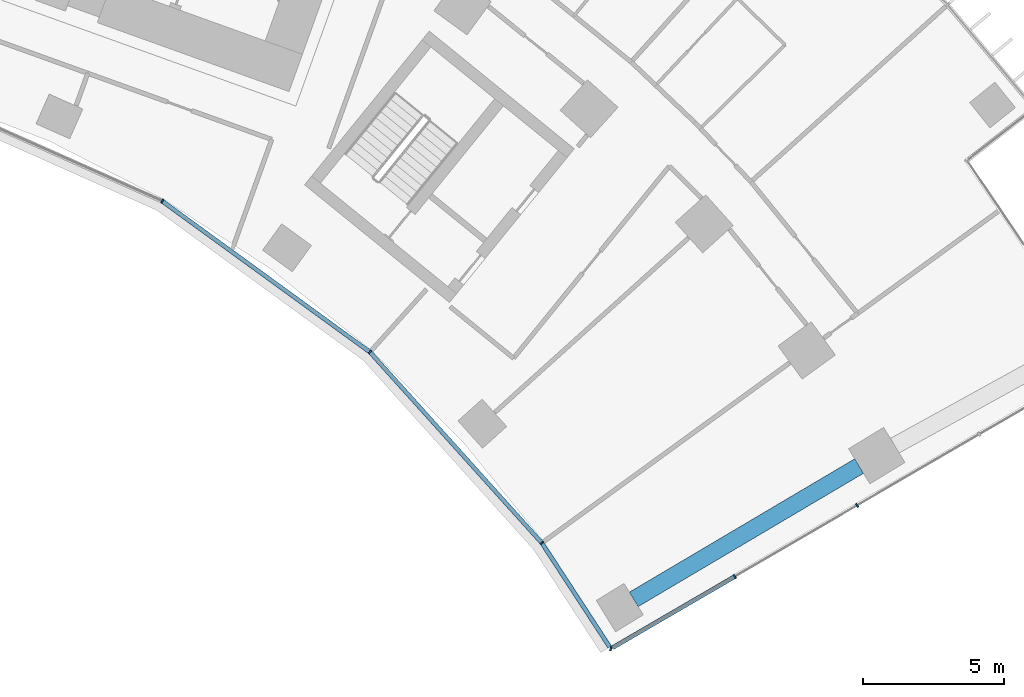
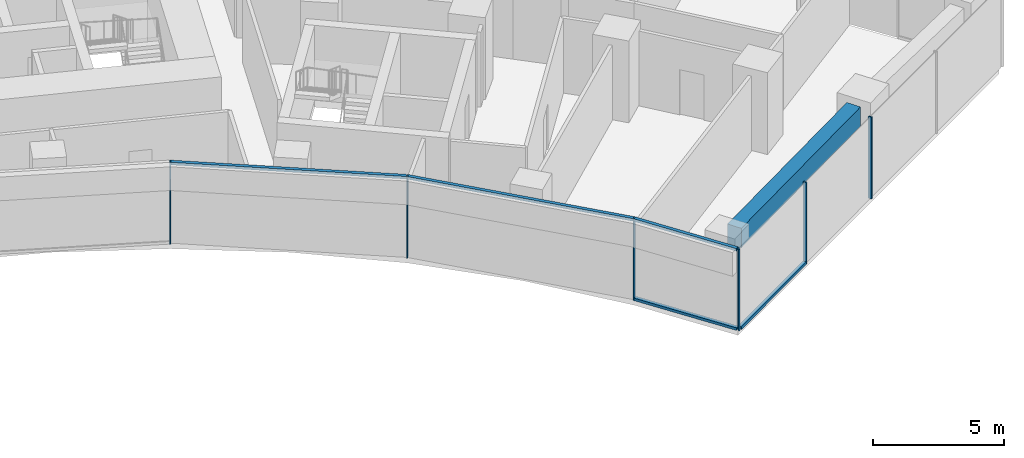
# One storey, part 8 of 22: 11 members, 1 beam, 2 elements without a shape of their own.
"""IFC4 building model written with IfcOpenShell, lengths in metres."""

from ifc_helpers import new_model, si_unit, direction, frame, origin, origin_2d, place, context, subcontext, project, spatial, rectangle, extrude, material, layer, layer_set, material_profile, profile_set, type_object, element, aggregate, save


model = new_model("IFC4")

# Units and contexts
model_context = context("Model", 3, precision=1e-05, world=origin(), true_north=direction((0.0, 1.0)))
body_context = subcontext(model_context, "Body", "Model", "MODEL_VIEW")
ifc_project = project(units=[si_unit("LENGTHUNIT", "METRE"), si_unit("AREAUNIT", "SQUARE_METRE"), si_unit("VOLUMEUNIT", "CUBIC_METRE"), si_unit("PLANEANGLEUNIT", "RADIAN"), si_unit("MASSUNIT", "GRAM", prefix="KILO")], contexts=[model_context])

# Site, building, storey
site_placement = place(None, origin())
site = spatial("IfcSite", under=ifc_project, at=site_placement, CompositionType="ELEMENT")
building_placement = place(site_placement, origin())
building = spatial("IfcBuilding", under=site, at=building_placement, Name="Stone Belt Terrace Tower", CompositionType="ELEMENT")
storey_placement = place(building_placement, frame((0.0, 0.0, 121.199951171875)))
storey = spatial("IfcBuildingStorey", under=building, at=storey_placement, Name="L29", CompositionType="ELEMENT", Elevation=121.199951171875)

# Curtain wall, members
ifc_material_1 = material(Name="Aluminium 6063-T6 anodised frame", Category="aluminium")
ifc_layer_1 = layer(ifc_material_1, 0.14990234375)
ifc_layer_set_1 = layer_set([ifc_layer_1], Name="CW-B unitised concave-face curtain wall")
curtain_wall_type_1 = type_object("IfcCurtainWallType", Name="CW-B unitised concave-face curtain wall", PredefinedType="NOTDEFINED", material=ifc_layer_set_1)
curtain_wall_1_placement = place(storey_placement, origin())
curtain_wall_1 = element("IfcCurtainWall", 1, at=curtain_wall_1_placement, inside=storey, type_object=curtain_wall_type_1, Name="CW-B concave face L29", PredefinedType="NOTDEFINED")
ifc_material_profile_1 = material_profile(ifc_material_1, rectangle(XDim=0.14990234375, YDim=0.050048828125, at=origin_2d()), Name="Aluminium 6063-T6 50x150")
ifc_profile_set_1 = profile_set([ifc_material_profile_1], Name="Aluminium 6063-T6 anodised frame")
member_type_1 = type_object("IfcMemberType", Name="CW-B mullion 50 x 150", PredefinedType="MULLION", material=ifc_profile_set_1)
member_1_placement = place(storey_placement, frame((21.71240234375, 37.606689453125, 0.0), z_axis=(0.0, 0.0, 1.0), x_axis=(0.5, 0.866025403784, 0.0)))
member_1 = element("IfcMember", 2, at=member_1_placement, type_object=member_type_1, Name="CW-B mullion 8", PredefinedType="MULLION", context=body_context, shape_type="SweptSolid", body=[
    extrude(rectangle(XDim=0.14990234375, YDim=0.050048828125, at=origin_2d()), origin(), (0.0, 0.0, 1.0), 3.800048828125),
])
member_2_placement = place(storey_placement, frame((29.056640625, 32.270751953125, 0.0), z_axis=(0.0, 0.0, 1.0), x_axis=(0.669130606359, 0.743144825477, 0.0)))
member_2 = element("IfcMember", 3, at=member_2_placement, type_object=member_type_1, Name="CW-B mullion 9", PredefinedType="MULLION", context=body_context, shape_type="SweptSolid", body=[
    extrude(rectangle(XDim=0.14990234375, YDim=0.050048828125, at=origin_2d()), origin(), (0.0, 0.0, 1.0), 3.800048828125),
])
member_3_placement = place(storey_placement, frame((35.132568359375, 25.522705078125, 0.0), z_axis=(0.0, 0.0, 1.0), x_axis=(0.792811047542, 0.609467507662, 0.0)))
member_3 = element("IfcMember", 4, at=member_3_placement, type_object=member_type_1, Name="CW-B mullion 10", PredefinedType="MULLION", context=body_context, shape_type="SweptSolid", body=[
    extrude(rectangle(XDim=0.14990234375, YDim=0.050048828125, at=origin_2d()), origin(), (0.0, 0.0, 1.0), 3.800048828125),
])
ifc_material_profile_2 = material_profile(ifc_material_1, rectangle(XDim=0.14990234375, YDim=0.1201171875, at=origin_2d()), Name="Aluminium 6063-T6 150x120")
ifc_profile_set_2 = profile_set([ifc_material_profile_2], Name="Aluminium 6063-T6 anodised frame")
member_type_2 = type_object("IfcMemberType", Name="CW-B transom 120 x 150", PredefinedType="USERDEFINED", material=ifc_profile_set_2)
member_4_placement = place(storey_placement, frame((21.73876953125, 37.587646484375, 3.739990234375), z_axis=(0.809015952818, -0.58778668587, 0.0), x_axis=(0.58778668587, 0.809015952818, 0.0)))
member_4 = element("IfcMember", 5, at=member_4_placement, type_object=member_type_2, Name="CW-B transom 8.1", ObjectType="TRANSOM", PredefinedType="USERDEFINED", context=body_context, shape_type="SweptSolid", body=[
    extrude(rectangle(XDim=0.14990234375, YDim=0.1201171875, at=origin_2d()), origin(), (0.0, 0.0, 1.0), 9.0126953125),
])
member_5_placement = place(storey_placement, frame((29.07861328125, 32.246337890625, 3.739990234375), z_axis=(0.669138241486, -0.743137950707, 0.0), x_axis=(0.743137950707, 0.669138241486, 0.0)))
member_5 = element("IfcMember", 6, at=member_5_placement, type_object=member_type_2, Name="CW-B transom 9.1", ObjectType="TRANSOM", PredefinedType="USERDEFINED", context=body_context, shape_type="SweptSolid", body=[
    extrude(rectangle(XDim=0.14990234375, YDim=0.1201171875, at=origin_2d()), origin(), (0.0, 0.0, 1.0), 9.016845703125),
])
member_6_placement = place(storey_placement, frame((35.1494140625, 25.4970703125, 0.06005859375), z_axis=(0.546136356084, -0.83769629375, 0.0), x_axis=(0.83769629375, 0.546136356084, 0.0)))
member_6 = element("IfcMember", 7, at=member_6_placement, type_object=member_type_2, Name="CW-B transom 10.1", ObjectType="TRANSOM", PredefinedType="USERDEFINED", context=body_context, shape_type="SweptSolid", body=[
    extrude(rectangle(XDim=0.14990234375, YDim=0.1201171875, at=origin_2d()), origin(), (0.0, 0.0, 1.0), 4.363525390625),
])
member_7_placement = place(storey_placement, frame((35.1494140625, 25.4970703125, 3.739990234375), z_axis=(0.546136356084, -0.83769629375, 0.0), x_axis=(0.83769629375, 0.546136356084, 0.0)))
member_7 = element("IfcMember", 8, at=member_7_placement, type_object=member_type_2, Name="CW-B transom 10.2", ObjectType="TRANSOM", PredefinedType="USERDEFINED", context=body_context, shape_type="SweptSolid", body=[
    extrude(rectangle(XDim=0.14990234375, YDim=0.1201171875, at=origin_2d()), origin(), (0.0, 0.0, 1.0), 4.363525390625),
])
aggregate(curtain_wall_1, [member_1, member_2, member_3, member_4, member_5, member_6, member_7])

ifc_layer_2 = layer(ifc_material_1, 0.14990234375)
ifc_layer_set_2 = layer_set([ifc_layer_2], Name="CW-C stick curtain wall, horn ends and notches")
curtain_wall_type_2 = type_object("IfcCurtainWallType", Name="CW-C stick curtain wall, horn ends and notches", PredefinedType="NOTDEFINED", material=ifc_layer_set_2)
curtain_wall_2_placement = place(storey_placement, origin())
curtain_wall_2 = element("IfcCurtainWall", 9, at=curtain_wall_2_placement, inside=storey, type_object=curtain_wall_type_2, Name="CW-C end face L29", PredefinedType="NOTDEFINED")
ifc_material_profile_3 = material_profile(ifc_material_1, rectangle(XDim=0.14990234375, YDim=0.06005859375, at=origin_2d()), Name="Aluminium 6063-T6 60x150")
ifc_profile_set_3 = profile_set([ifc_material_profile_3], Name="Aluminium 6063-T6 anodised frame")
member_type_3 = type_object("IfcMemberType", Name="CW-C mullion 60 x 150", PredefinedType="MULLION", material=ifc_profile_set_3)
member_8_placement = place(storey_placement, frame((37.570556640625, 21.783447265625, 0.0), z_axis=(0.0, 0.0, 1.0), x_axis=(0.230847440535, 0.972989958426, 0.0)))
member_8 = element("IfcMember", 10, at=member_8_placement, type_object=member_type_3, Name="CW-C mullion 1", PredefinedType="MULLION", context=body_context, shape_type="SweptSolid", body=[
    extrude(rectangle(XDim=0.14990234375, YDim=0.06005859375, at=origin_2d()), origin(), (0.0, 0.0, 1.0), 3.800048828125),
])
member_9_placement = place(storey_placement, frame((41.953369140625, 24.334716796875, 0.0), z_axis=(0.0, 0.0, 1.0), x_axis=(-0.503080901861, 0.864239322284, 0.0)))
member_9 = element("IfcMember", 11, at=member_9_placement, type_object=member_type_3, Name="CW-C mullion 2", PredefinedType="MULLION", context=body_context, shape_type="SweptSolid", body=[
    extrude(rectangle(XDim=0.14990234375, YDim=0.06005859375, at=origin_2d()), origin(), (0.0, 0.0, 1.0), 3.800048828125),
])
member_10_placement = place(storey_placement, frame((46.2744140625, 26.85009765625, 0.0), z_axis=(0.0, 0.0, 1.0), x_axis=(-0.503080901861, 0.864239322284, 0.0)))
member_10 = element("IfcMember", 12, at=member_10_placement, type_object=member_type_3, Name="CW-C mullion 3", PredefinedType="MULLION", context=body_context, shape_type="SweptSolid", body=[
    extrude(rectangle(XDim=0.14990234375, YDim=0.06005859375, at=origin_2d()), origin(), (0.0, 0.0, 1.0), 3.800048828125),
])
ifc_material_profile_4 = material_profile(ifc_material_1, rectangle(XDim=0.14990234375, YDim=0.1201171875, at=origin_2d()), Name="Aluminium 6063-T6 150x120")
ifc_profile_set_4 = profile_set([ifc_material_profile_4], Name="Aluminium 6063-T6 anodised frame")
member_type_4 = type_object("IfcMemberType", Name="CW-C transom 120 x 150", PredefinedType="USERDEFINED", material=ifc_profile_set_4)
member_11_placement = place(storey_placement, frame((37.634033203125, 21.8203125, 0.06005859375), z_axis=(0.864238402529, 0.5030824819, 0.0), x_axis=(-0.5030824819, 0.864238402529, 0.0)))
member_11 = element("IfcMember", 13, at=member_11_placement, type_object=member_type_4, Name="CW-C transom 1.1", ObjectType="TRANSOM", PredefinedType="USERDEFINED", context=body_context, shape_type="SweptSolid", body=[
    extrude(rectangle(XDim=0.14990234375, YDim=0.1201171875, at=origin_2d()), origin(), (0.0, 0.0, 1.0), 4.968017578125),
])
aggregate(curtain_wall_2, [member_8, member_9, member_10, member_11])

# Beam
ifc_material_2 = material(Name="Concrete B60", Category="concrete")
ifc_material_profile_5 = material_profile(ifc_material_2, rectangle(XDim=0.60009765625, YDim=0.89990234375, at=origin_2d()), Name="RC 600x900")
ifc_profile_set_5 = profile_set([ifc_material_profile_5], Name="Concrete B60")
beam_type = type_object("IfcBeamType", Name="Edge beam RC 600x900 B60", PredefinedType="SPANDREL", material=ifc_profile_set_5)
beam_placement = place(storey_placement, frame((38.3828125, 23.52783203125, 3.030029296875), z_axis=(0.860646513691, 0.509202885372, 0.0), x_axis=(-0.509202885372, 0.860646513691, 0.0)))
element("IfcBeam", 14, at=beam_placement, inside=storey, type_object=beam_type, Name="Edge beam L29 B P to Q", PredefinedType="SPANDREL", context=body_context, shape_type="SweptSolid", body=[
    extrude(rectangle(XDim=0.60009765625, YDim=0.89990234375, at=origin_2d()), origin(), (0.0, 0.0, 1.0), 9.255859375),
])

save(model, "model.ifc")
